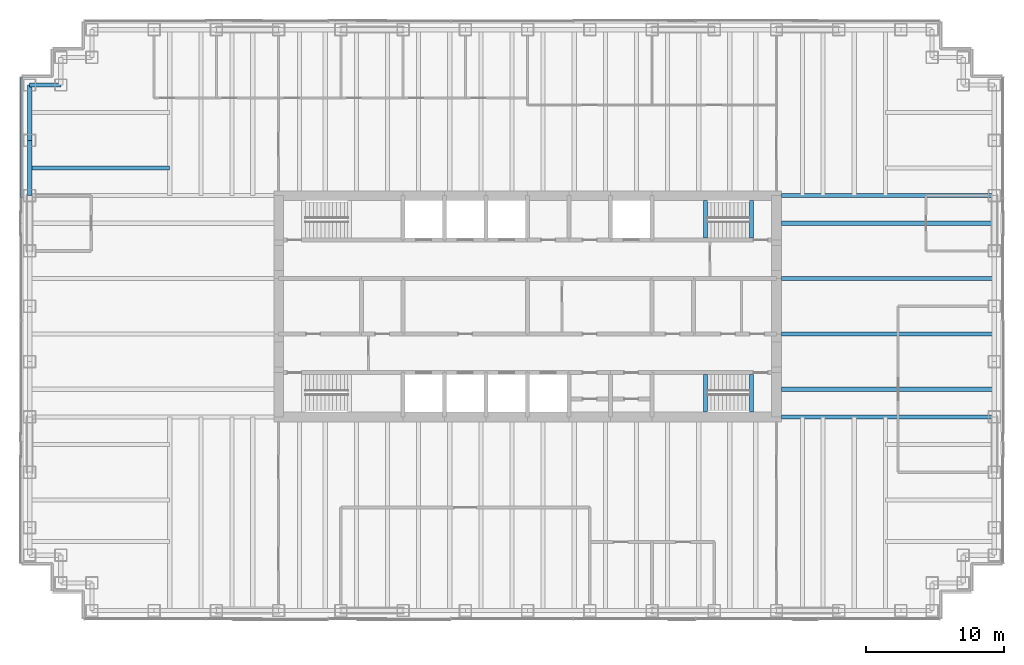
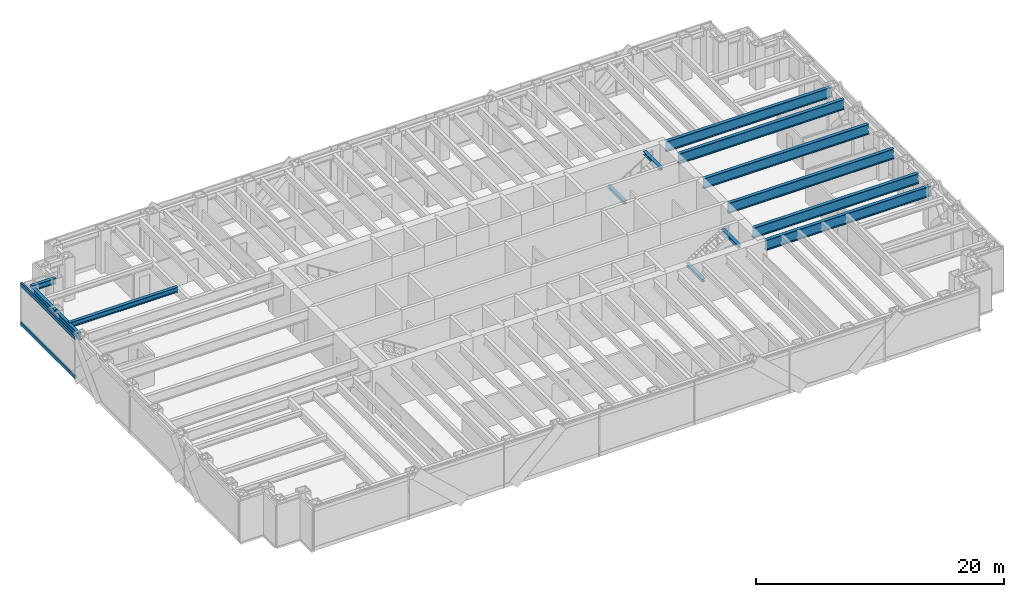
# One storey, part 5 of 17: 14 beams, 2 members, 1 element without a shape of its own.
"""IFC4 building model written with IfcOpenShell, lengths in metres."""

import ifcopenshell
import ifcopenshell.guid

model = None  # the IFC model being written
_history = None  # IfcOwnerHistory: only IFC2X3 demands one
_inside = {}  # id of a spatial element -> (the spatial element, [elements in it])
_under = {}  # id of a project, library or spatial element -> (it, [spatial elements below it])
_declared = {}  # id of a project -> (the project, [libraries it declares])
_typed = {}  # id of a type object -> (the type object, [elements of that type])
_made_of = {}  # id of a material, layer set ... -> (it, [elements and type objects made of it])


def new_model(schema):
    """Start an empty IFC model of exactly this schema.

    Asked for "IFC4X3", IfcOpenShell would pick the latest addendum, in which some entities
    have other attributes; the version numbers below select the first issue.
    IFC2X3 requires an IfcOwnerHistory on every rooted entity: one is made here for all.
    """
    global model, _history
    if schema == "IFC4X3":
        model = ifcopenshell.file(schema_version=(4, 3, 0, 0))
    else:
        model = ifcopenshell.file(schema=schema)
    _inside.clear()
    _under.clear()
    _declared.clear()
    _typed.clear()
    _made_of.clear()
    _history = None
    if model.schema == "IFC2X3":
        org = make("IfcOrganization", Name="unknown")
        user = make(
            "IfcPersonAndOrganization",
            ThePerson=make("IfcPerson", FamilyName="unknown"),
            TheOrganization=org,
        )
        app = make(
            "IfcApplication",
            ApplicationDeveloper=org,
            Version="unknown",
            ApplicationFullName="unknown",
            ApplicationIdentifier="unknown",
        )
        _history = make(
            "IfcOwnerHistory",
            OwningUser=user,
            OwningApplication=app,
            ChangeAction="ADDED",
            CreationDate=0,
        )
    return model


def make(cls, **values):
    """One entity of the class cls with the attributes given. An attribute that is None is left unset."""
    return model.create_entity(
        cls, **{name: value for name, value in values.items() if value is not None}
    )


def rooted(cls, **values):
    """An entity with a GlobalId (a new one), such as an element, a storey or a relation."""
    return make(cls, GlobalId=ifcopenshell.guid.new(), OwnerHistory=_history, **values)


def si_unit(unit_type, name, prefix=None):
    """IfcSIUnit, for example si_unit("LENGTHUNIT", "METRE", prefix="MILLI")."""
    return make("IfcSIUnit", UnitType=unit_type, Prefix=prefix, Name=name)


def assignment(units):
    """IfcUnitAssignment: the units of a project."""
    return None if units is None else make("IfcUnitAssignment", Units=units)


def point(xyz):
    """IfcCartesianPoint."""
    return None if xyz is None else make("IfcCartesianPoint", Coordinates=xyz)


def direction(xyz):
    """IfcDirection."""
    return None if xyz is None else make("IfcDirection", DirectionRatios=xyz)


def frame(location, z_axis=None, x_axis=None):
    """IfcAxis2Placement3D, a coordinate frame: its origin and axes. An axis left out is left unset."""
    return make(
        "IfcAxis2Placement3D",
        Location=point(location),
        Axis=direction(z_axis),
        RefDirection=direction(x_axis),
    )


def frame_2d(location, x_axis=None):
    """IfcAxis2Placement2D, a coordinate frame in the plane: its origin and x axis."""
    return make(
        "IfcAxis2Placement2D", Location=point(location), RefDirection=direction(x_axis)
    )


def origin():
    """The frame at (0, 0, 0) with its axes left unset."""
    return frame((0.0, 0.0, 0.0))


def origin_2d():
    """The frame at (0, 0) in the plane with its x axis left unset."""
    return frame_2d((0.0, 0.0))


def place(relative_to, where):
    """IfcLocalPlacement: puts the frame where relative to a parent placement (None: the world)."""
    return make(
        "IfcLocalPlacement", PlacementRelTo=relative_to, RelativePlacement=where
    )


def context(
    kind, dimensions, precision=None, world=None, true_north=None, identifier=None
):
    """IfcGeometricRepresentationContext, for example the 3D "Model" context."""
    return make(
        "IfcGeometricRepresentationContext",
        ContextIdentifier=identifier,
        ContextType=kind,
        CoordinateSpaceDimension=dimensions,
        Precision=precision,
        WorldCoordinateSystem=world,
        TrueNorth=true_north,
    )


def subcontext(parent, identifier, kind, view, scale=None):
    """IfcGeometricRepresentationSubContext, for example "Body" below "Model"."""
    return make(
        "IfcGeometricRepresentationSubContext",
        ContextIdentifier=identifier,
        ContextType=kind,
        ParentContext=parent,
        TargetScale=scale,
        TargetView=view,
    )


def project(units=None, contexts=None):
    """IfcProject with its units and contexts."""
    return rooted(
        "IfcProject",
        Name="project",
        RepresentationContexts=contexts,
        UnitsInContext=assignment(units),
    )


def spatial(cls, under=None, at=None, **own):
    """A site, building, storey or space (cls), placed at a placement, below another one or the project."""
    s = rooted(cls, ObjectPlacement=at, **own)
    if under is not None:
        _under.setdefault(under.id(), (under, []))[1].append(s)
    return s


def profile(cls, at=None, kind="AREA", **sizes):
    """A parametric profile (cls). Its sizes go by their IFC names, for example OverallWidth=200.0."""
    return make(cls, ProfileType=kind, Position=at, **sizes)


def rectangle(**sizes):
    """IfcRectangleProfileDef."""
    return profile("IfcRectangleProfileDef", **sizes)


def i_section(**sizes):
    """IfcIShapeProfileDef."""
    return profile("IfcIShapeProfileDef", **sizes)


def extrude(swept, where, along, depth):
    """IfcExtrudedAreaSolid: the profile swept, set in the frame where, extruded along a direction by depth."""
    return make(
        "IfcExtrudedAreaSolid",
        SweptArea=swept,
        Position=where,
        ExtrudedDirection=direction(along),
        Depth=depth,
    )


def shape(context_of_items, identifier, shape_type, items):
    """IfcShapeRepresentation: the items that make up one representation, for example the "Body"."""
    return make(
        "IfcShapeRepresentation",
        ContextOfItems=context_of_items,
        RepresentationIdentifier=identifier,
        RepresentationType=shape_type,
        Items=items,
    )


def material(Name=None, Category=None):
    """IfcMaterial."""
    return make("IfcMaterial", Name=Name, Category=Category)


def material_profile(
    of_material, cross_section, Name=None, Category=None, Priority=None
):
    """IfcMaterialProfile: a cross section and its material."""
    return make(
        "IfcMaterialProfile",
        Name=Name,
        Material=of_material,
        Profile=cross_section,
        Priority=Priority,
        Category=Category,
    )


def profile_set(profiles, Name=None, composite=None):
    """IfcMaterialProfileSet."""
    return make(
        "IfcMaterialProfileSet",
        Name=Name,
        MaterialProfiles=profiles,
        CompositeProfile=composite,
    )


def made_of(thing, what):
    """Note that an element or type object is made of a material, layer set ...; save() writes the relation."""
    if what is not None:
        _made_of.setdefault(what.id(), (what, []))[1].append(thing)
    return thing


def type_object(cls, material=None, **own):
    """A type object (cls), such as IfcWallType, which elements share."""
    return made_of(rooted(cls, **own), material)


def element(
    cls,
    number,
    at=None,
    inside=None,
    cuts=None,
    type_object=None,
    material=None,
    context=None,
    identifier="Body",
    shape_type=None,
    held_by="IfcProductDefinitionShape",
    body=None,
    shapes=None,
    **own,
):
    """One element of the class cls, such as IfcWall. Its Tag is "e" and its number.

    at: its placement. inside: the storey or other place that contains it. cuts: it is an
    opening in that element (IfcRelVoidsElement). A single representation is given by context,
    identifier, shape_type and body (its items); several are given by shapes. held_by: the class
    of the entity that holds the representations. save() writes the other relations.
    """
    e = rooted(cls, Tag="e%d" % number, ObjectPlacement=at, **own)
    if body is not None:
        shapes = [shape(context, identifier, shape_type, body)]
    if shapes is not None:
        e.Representation = make(held_by, Representations=shapes)
    if inside is not None:
        _inside.setdefault(inside.id(), (inside, []))[1].append(e)
    if cuts is not None:
        rooted(
            "IfcRelVoidsElement", RelatingBuildingElement=cuts, RelatedOpeningElement=e
        )
    if type_object is not None:
        _typed.setdefault(type_object.id(), (type_object, []))[1].append(e)
    return made_of(e, material)


def aggregate(whole, parts):
    """IfcRelAggregates: a whole, such as a stair, and the parts it consists of."""
    return rooted("IfcRelAggregates", RelatingObject=whole, RelatedObjects=parts)


def save(model, path):
    """Write the relations noted so far, then the file.

    IfcRelAggregates (storeys below a building ...), IfcRelContainedInSpatialStructure (elements
    in a storey), IfcRelDefinesByType, IfcRelAssociatesMaterial and IfcRelDeclares: one each for
    every whole, place, type object, material and project.
    """
    for whole, parts in _under.values():
        aggregate(whole, parts)
    for where, things in _inside.values():
        rooted(
            "IfcRelContainedInSpatialStructure",
            RelatedElements=things,
            RelatingStructure=where,
        )
    for kind, things in _typed.values():
        rooted("IfcRelDefinesByType", RelatedObjects=things, RelatingType=kind)
    for what, things in _made_of.values():
        rooted("IfcRelAssociatesMaterial", RelatedObjects=things, RelatingMaterial=what)
    for by, libraries in _declared.values():
        rooted("IfcRelDeclares", RelatingContext=by, RelatedDefinitions=libraries)
    model.write(path)


model = new_model("IFC4")

# Units and contexts
model_context = context("Model", 3, precision=1e-05, world=origin(), true_north=direction((0.0, 1.0)))
body_context = subcontext(model_context, "Body", "Model", "MODEL_VIEW")
ifc_project = project(units=[si_unit("LENGTHUNIT", "METRE"), si_unit("AREAUNIT", "SQUARE_METRE"), si_unit("VOLUMEUNIT", "CUBIC_METRE"), si_unit("PLANEANGLEUNIT", "RADIAN"), si_unit("MASSUNIT", "GRAM", prefix="KILO")], contexts=[model_context])

# Site, building, storey
site_placement = place(None, origin())
site = spatial("IfcSite", under=ifc_project, at=site_placement, CompositionType="ELEMENT")
building_placement = place(site_placement, origin())
building = spatial("IfcBuilding", under=site, at=building_placement, Name="Rheinbord Bourse Tower", CompositionType="ELEMENT")
storey_placement = place(building_placement, frame((0.0, 0.0, 321.5)))
storey = spatial("IfcBuildingStorey", under=building, at=storey_placement, Name="L73", CompositionType="ELEMENT", Elevation=321.5)

# Curtain wall, members
ifc_material_1 = material(Name="Dark glass and black aluminium", Category="aluminium")
curtain_wall_type = type_object("IfcCurtainWallType", Name="CW3 DARK GLASS CURTAIN WALL", PredefinedType="USERDEFINED", material=ifc_material_1)
curtain_wall_placement = place(storey_placement, origin())
curtain_wall = element("IfcCurtainWall", 1, at=curtain_wall_placement, inside=storey, type_object=curtain_wall_type, Name="Curtain wall CW3 W L73", ObjectType="UNITISED CURTAIN WALL", PredefinedType="USERDEFINED")
ifc_material_2 = material(Name="Black anodised aluminium", Category="aluminium")
ifc_material_profile_1 = material_profile(ifc_material_2, rectangle(XDim=0.14990234375, YDim=0.35009765625, at=origin_2d()), Name="CW3 TRANSOM 350x150")
ifc_profile_set_1 = profile_set([ifc_material_profile_1], Name="Black anodised aluminium")
member_type = type_object("IfcMemberType", Name="CW3 BLACK TRANSOM", PredefinedType="USERDEFINED", material=ifc_profile_set_1)
member_1_placement = place(storey_placement, frame((-0.60009765625, 40.534912109375, 0.175048828125), z_axis=(0.0, -1.0, 0.0), x_axis=(1.0, 0.0, 0.0)))
member_1 = element("IfcMember", 2, at=member_1_placement, type_object=member_type, Name="CW3 transom 1.1", ObjectType="TRANSOM", PredefinedType="USERDEFINED", context=body_context, shape_type="SweptSolid", body=[
    extrude(rectangle(XDim=0.14990234375, YDim=0.35009765625, at=origin_2d()), origin(), (0.0, 0.0, 1.0), 8.702392578125),
])
member_2_placement = place(storey_placement, frame((-0.60009765625, 40.534912109375, 4.02490234375), z_axis=(0.0, -1.0, 0.0), x_axis=(1.0, 0.0, 0.0)))
member_2 = element("IfcMember", 3, at=member_2_placement, type_object=member_type, Name="CW3 transom 1.2", ObjectType="TRANSOM", PredefinedType="USERDEFINED", context=body_context, shape_type="SweptSolid", body=[
    extrude(rectangle(XDim=0.14990234375, YDim=0.35009765625, at=origin_2d()), origin(), (0.0, 0.0, 1.0), 8.702392578125),
])
aggregate(curtain_wall, [member_1, member_2])

# Beams
ifc_material_3 = material(Name="Steel S460", Category="steel")
ifc_material_profile_2 = material_profile(ifc_material_3, i_section(OverallWidth=0.302001953125, OverallDepth=1.008056640625, WebThickness=0.02099609375, FlangeThickness=0.0400390625, at=origin_2d()), Name="HEM 1000")
ifc_profile_set_2 = profile_set([ifc_material_profile_2], Name="Steel S460")
beam_type_1 = type_object("IfcBeamType", Name="END BEAM HEM 1000", PredefinedType="BEAM", material=ifc_profile_set_2)
for number, where, z_axis, x_axis, name in (
    (4, (54.35009765625, 18.0, 3.535888671875), (1.0, 0.0, 0.0), (0.0, 1.0, 0.0), "End beam east 18 L74"),
    (5, (54.35009765625, 22.0, 3.535888671875), (1.0, 0.0, 0.0), (0.0, 1.0, 0.0), "End beam east 22 L74"),
    (6, (54.35009765625, 26.0, 3.535888671875), (1.0, 0.0, 0.0), (0.0, 1.0, 0.0), "End beam east 26 L74"),
    (7, (54.35009765625, 30.0, 3.535888671875), (1.0, 0.0, 0.0), (0.0, 1.0, 0.0), "End beam east 30 L74"),
):
    element("IfcBeam", number, at=place(storey_placement, frame(where, z_axis=z_axis, x_axis=x_axis)), inside=storey, type_object=beam_type_1, Name=name, PredefinedType="BEAM", context=body_context, shape_type="SweptSolid", body=[
        extrude(i_section(OverallWidth=0.302001953125, OverallDepth=1.008056640625, WebThickness=0.02099609375, FlangeThickness=0.0400390625, at=origin_2d()), origin(), (0.0, 0.0, 1.0), 15.39990234375),
    ])
ifc_material_4 = material(Name="Steel S460", Category="steel")
ifc_material_profile_3 = material_profile(ifc_material_4, i_section(OverallWidth=0.302001953125, OverallDepth=1.008056640625, WebThickness=0.02099609375, FlangeThickness=0.0400390625, at=origin_2d()), Name="HEM 1000")
ifc_profile_set_3 = profile_set([ifc_material_profile_3], Name="Steel S460")
beam_type_2 = type_object("IfcBeamType", Name="GIRDER HEM 1000", PredefinedType="BEAM", material=ifc_profile_set_3)
for number, where, z_axis, x_axis, name in (
    (8, (54.35009765625, 16.0, 3.535888671875), (1.0, 0.0, 0.0), (0.0, 1.0, 0.0), "Girder east 16 L74"),
    (9, (54.35009765625, 32.0, 3.535888671875), (1.0, 0.0, 0.0), (0.0, 1.0, 0.0), "Girder east 32 L74"),
):
    element("IfcBeam", number, at=place(storey_placement, frame(where, z_axis=z_axis, x_axis=x_axis)), inside=storey, type_object=beam_type_2, Name=name, PredefinedType="BEAM", context=body_context, shape_type="SweptSolid", body=[
        extrude(i_section(OverallWidth=0.302001953125, OverallDepth=1.008056640625, WebThickness=0.02099609375, FlangeThickness=0.0400390625, at=origin_2d()), origin(), (0.0, 0.0, 1.0), 15.39990234375),
    ])
ifc_material_5 = material(Name="Steel S460", Category="steel")
ifc_material_profile_4 = material_profile(ifc_material_5, i_section(OverallWidth=0.300048828125, OverallDepth=0.300048828125, WebThickness=0.010986328125, FlangeThickness=0.01904296875, at=origin_2d()), Name="HEB 300")
ifc_profile_set_4 = profile_set([ifc_material_profile_4], Name="Steel S460")
beam_type_3 = type_object("IfcBeamType", Name="LANDING TRIMMER HEB 300", PredefinedType="BEAM", material=ifc_profile_set_4)
for number, where, z_axis, x_axis, name in (
    (10, (48.8701171875, 16.35009765625, 1.75), (0.0, 1.0, 0.0), (-1.0, 0.0, 0.0), "Landing trimmer ST3 L73"),
    (11, (52.199951171875, 16.35009765625, 3.889892578125), (0.0, 1.0, 0.0), (-1.0, 0.0, 0.0), "Well trimmer ST3 under L74"),
    (12, (48.8701171875, 28.949951171875, 1.75), (0.0, 1.0, 0.0), (-1.0, 0.0, 0.0), "Landing trimmer ST4 L73"),
    (13, (52.199951171875, 28.949951171875, 3.889892578125), (0.0, 1.0, 0.0), (-1.0, 0.0, 0.0), "Well trimmer ST4 under L74"),
):
    element("IfcBeam", number, at=place(storey_placement, frame(where, z_axis=z_axis, x_axis=x_axis)), inside=storey, type_object=beam_type_3, Name=name, PredefinedType="BEAM", context=body_context, shape_type="SweptSolid", body=[
        extrude(i_section(OverallWidth=0.300048828125, OverallDepth=0.300048828125, WebThickness=0.010986328125, FlangeThickness=0.01904296875, at=origin_2d()), origin(), (0.0, 0.0, 1.0), 2.699951171875),
    ])
ifc_material_6 = material(Name="Steel S460", Category="steel")
ifc_material_profile_5 = material_profile(ifc_material_6, i_section(OverallWidth=0.300048828125, OverallDepth=0.550048828125, WebThickness=0.014892578125, FlangeThickness=0.029052734375, at=origin_2d()), Name="HEB 550")
ifc_profile_set_5 = profile_set([ifc_material_profile_5], Name="Steel S460")
beam_type_4 = type_object("IfcBeamType", Name="SPANDREL HEB 550", PredefinedType="SPANDREL", material=ifc_profile_set_5)
beam_1_placement = place(storey_placement, frame((2.25, 40.0, 3.764892578125), z_axis=(-1.0, 0.0, 0.0), x_axis=(0.0, -1.0, 0.0)))
element("IfcBeam", 14, at=beam_1_placement, inside=storey, type_object=beam_type_4, Name="Spandrel NW-B-NW-A under L74", PredefinedType="SPANDREL", context=body_context, shape_type="SweptSolid", body=[
    extrude(i_section(OverallWidth=0.300048828125, OverallDepth=0.550048828125, WebThickness=0.014892578125, FlangeThickness=0.029052734375, at=origin_2d()), origin(), (0.0, 0.0, 1.0), 2.25),
])
for number, where, z_axis, x_axis, name in (
    (15, (0.0, 40.0, 3.764892578125), (0.0, -1.0, 0.0), (1.0, 0.0, 0.0), "Spandrel NW-A-W-36 under L74"),
    (16, (0.0, 36.0, 3.764892578125), (0.0, -1.0, 0.0), (1.0, 0.0, 0.0), "Spandrel W-36-W-32 under L74"),
):
    element("IfcBeam", number, at=place(storey_placement, frame(where, z_axis=z_axis, x_axis=x_axis)), inside=storey, type_object=beam_type_4, Name=name, PredefinedType="SPANDREL", context=body_context, shape_type="SweptSolid", body=[
        extrude(i_section(OverallWidth=0.300048828125, OverallDepth=0.550048828125, WebThickness=0.014892578125, FlangeThickness=0.029052734375, at=origin_2d()), origin(), (0.0, 0.0, 1.0), 4.0),
    ])
ifc_material_7 = material(Name="Steel S460", Category="steel")
ifc_material_profile_6 = material_profile(ifc_material_7, i_section(OverallWidth=0.300048828125, OverallDepth=0.5, WebThickness=0.014404296875, FlangeThickness=0.028076171875, at=origin_2d()), Name="HEB 500")
ifc_profile_set_6 = profile_set([ifc_material_profile_6], Name="Steel S460")
beam_type_5 = type_object("IfcBeamType", Name="TIE BEAM HEB 500", PredefinedType="JOIST", material=ifc_profile_set_6)
beam_2_placement = place(storey_placement, frame((0.0, 34.0, 3.7900390625), z_axis=(1.0, 0.0, 0.0), x_axis=(0.0, 1.0, 0.0)))
element("IfcBeam", 17, at=beam_2_placement, inside=storey, type_object=beam_type_5, Name="Tie west 34 L74", PredefinedType="JOIST", context=body_context, shape_type="SweptSolid", body=[
    extrude(i_section(OverallWidth=0.300048828125, OverallDepth=0.5, WebThickness=0.014404296875, FlangeThickness=0.028076171875, at=origin_2d()), origin(), (0.0, 0.0, 1.0), 10.125),
])

save(model, "model.ifc")
